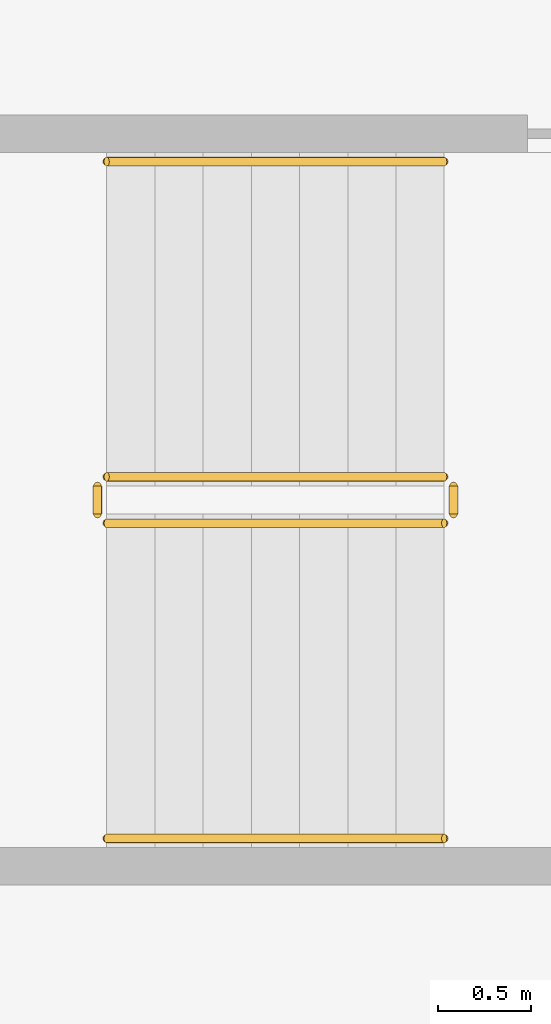
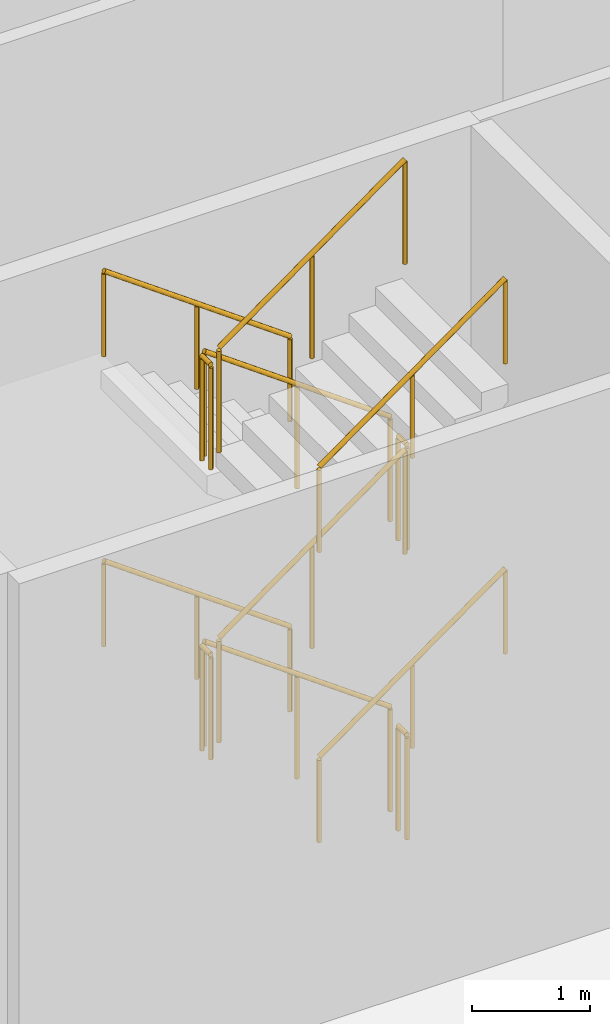
# One storey, part 71 of 75: 12 railings.
"""IFC4 building model written with IfcOpenShell, lengths in metres."""

from ifc_helpers import new_model, si_unit, direction, frame, origin, origin_2d, place, context, subcontext, project, spatial, circle, extrude, material, type_object, element, save


model = new_model("IFC4")

# Units and contexts
model_context = context("Model", 3, precision=1e-05, world=origin(), true_north=direction((0.0, 1.0)))
body_context = subcontext(model_context, "Body", "Model", "MODEL_VIEW")
ifc_project = project(units=[si_unit("LENGTHUNIT", "METRE"), si_unit("AREAUNIT", "SQUARE_METRE"), si_unit("VOLUMEUNIT", "CUBIC_METRE"), si_unit("PLANEANGLEUNIT", "RADIAN"), si_unit("MASSUNIT", "GRAM", prefix="KILO")], contexts=[model_context])

# Site, building, storey
site_placement = place(None, origin())
site = spatial("IfcSite", under=ifc_project, at=site_placement, CompositionType="ELEMENT")
building_placement = place(site_placement, origin())
building = spatial("IfcBuilding", under=site, at=building_placement, Name="Ipe Terrace Towers", CompositionType="ELEMENT")
storey_placement = place(building_placement, origin())
storey = spatial("IfcBuildingStorey", under=building, at=storey_placement, Name="L00", CompositionType="ELEMENT", Elevation=0.0)

# Railings
ifc_material_1 = material(Name="Steel S355", Category="steel")
railing_type_1 = type_object("IfcRailingType", Name="Stair guard 1100", PredefinedType="GUARDRAIL", material=ifc_material_1)
railing_1_placement = place(storey_placement, frame((-0.75, 24.64990234375, 0.1875)))
element("IfcRailing", 1, at=railing_1_placement, inside=storey, type_object=railing_type_1, Name="L00 PS2 stair guard 1", PredefinedType="GUARDRAIL", context=body_context, shape_type="SweptSolid", body=[
    extrude(circle(Radius=0.02392578125, at=origin_2d()), frame((0.0, 0.0, 1.076171875), z_axis=(-0.811100754333, 0.0, 0.584906459462), x_axis=(0.0, -1.0, 0.0)), (0.0, 0.0, 1.0), 2.243896484375),
    extrude(circle(Radius=0.02099609375, at=origin_2d()), origin(), (0.0, 0.0, 1.0), 1.052001953125),
    extrude(circle(Radius=0.02099609375, at=origin_2d()), frame((-0.91015625, 0.0, 0.65625)), (0.0, 0.0, 1.0), 1.052001953125),
    extrude(circle(Radius=0.02099609375, at=origin_2d()), frame((-1.820068359375, 0.0, 1.3125)), (0.0, 0.0, 1.0), 1.052001953125),
])
railing_2_placement = place(storey_placement, frame((-2.6201171875, 24.60009765625, 1.5)))
element("IfcRailing", 2, at=railing_2_placement, inside=storey, type_object=railing_type_1, Name="L00 PS2 stair guard 2", PredefinedType="GUARDRAIL", context=body_context, shape_type="SweptSolid", body=[
    extrude(circle(Radius=0.02392578125, at=origin_2d()), frame((0.0, 0.0, 1.076171875), z_axis=(0.0, -1.0, 0.0), x_axis=(1.0, 0.0, 0.0)), (0.0, 0.0, 1.0), 0.150146484375),
    extrude(circle(Radius=0.02099609375, at=origin_2d()), origin(), (0.0, 0.0, 1.0), 1.052001953125),
    extrude(circle(Radius=0.02099609375, at=origin_2d()), frame((0.0, -0.150146484375, 0.0)), (0.0, 0.0, 1.0), 1.052001953125),
])
railing_3_placement = place(storey_placement, frame((-2.570068359375, 24.39990234375, 1.6875)))
element("IfcRailing", 3, at=railing_3_placement, inside=storey, type_object=railing_type_1, Name="L00 PS2 stair guard 3", PredefinedType="GUARDRAIL", context=body_context, shape_type="SweptSolid", body=[
    extrude(circle(Radius=0.02392578125, at=origin_2d()), frame((0.0, 0.0, 1.076171875), z_axis=(0.811100754333, 0.0, 0.584906459462), x_axis=(0.0, 1.0, 0.0)), (0.0, 0.0, 1.0), 2.243896484375),
    extrude(circle(Radius=0.02099609375, at=origin_2d()), origin(), (0.0, 0.0, 1.0), 1.052001953125),
    extrude(circle(Radius=0.02099609375, at=origin_2d()), frame((0.91015625, 0.0, 0.65625)), (0.0, 0.0, 1.0), 1.052001953125),
    extrude(circle(Radius=0.02099609375, at=origin_2d()), frame((1.820068359375, 0.0, 1.3125)), (0.0, 0.0, 1.0), 1.052001953125),
])
railing_4_placement = place(storey_placement, frame((-0.699951171875, 24.60009765625, 3.0)))
element("IfcRailing", 4, at=railing_4_placement, inside=storey, type_object=railing_type_1, Name="L00 PS2 stair guard 4", PredefinedType="GUARDRAIL", context=body_context, shape_type="SweptSolid", body=[
    extrude(circle(Radius=0.02392578125, at=origin_2d()), frame((0.0, 0.0, 1.076171875), z_axis=(0.0, -1.0, 0.0), x_axis=(1.0, 0.0, 0.0)), (0.0, 0.0, 1.0), 0.150146484375),
    extrude(circle(Radius=0.02099609375, at=origin_2d()), origin(), (0.0, 0.0, 1.0), 1.052001953125),
    extrude(circle(Radius=0.02099609375, at=origin_2d()), frame((0.0, -0.150146484375, 0.0)), (0.0, 0.0, 1.0), 1.052001953125),
])
railing_5_placement = place(storey_placement, frame((-0.75, 24.64990234375, 3.1875)))
element("IfcRailing", 5, at=railing_5_placement, inside=storey, type_object=railing_type_1, Name="L00 PS2 stair guard 5", PredefinedType="GUARDRAIL", context=body_context, shape_type="SweptSolid", body=[
    extrude(circle(Radius=0.02392578125, at=origin_2d()), frame((0.0, 0.0, 1.076171875), z_axis=(-0.811100754333, 0.0, 0.584906459462), x_axis=(0.0, -1.0, 0.0)), (0.0, 0.0, 1.0), 2.243896484375),
    extrude(circle(Radius=0.02099609375, at=origin_2d()), origin(), (0.0, 0.0, 1.0), 1.052001953125),
    extrude(circle(Radius=0.02099609375, at=origin_2d()), frame((-0.91015625, 0.0, 0.65625)), (0.0, 0.0, 1.0), 1.052001953125),
    extrude(circle(Radius=0.02099609375, at=origin_2d()), frame((-1.820068359375, 0.0, 1.3125)), (0.0, 0.0, 1.0), 1.052001953125),
])
railing_6_placement = place(storey_placement, frame((-2.6201171875, 24.60009765625, 4.5)))
element("IfcRailing", 6, at=railing_6_placement, inside=storey, type_object=railing_type_1, Name="L00 PS2 stair guard 6", PredefinedType="GUARDRAIL", context=body_context, shape_type="SweptSolid", body=[
    extrude(circle(Radius=0.02392578125, at=origin_2d()), frame((0.0, 0.0, 1.076171875), z_axis=(0.0, -1.0, 0.0), x_axis=(1.0, 0.0, 0.0)), (0.0, 0.0, 1.0), 0.150146484375),
    extrude(circle(Radius=0.02099609375, at=origin_2d()), origin(), (0.0, 0.0, 1.0), 1.052001953125),
    extrude(circle(Radius=0.02099609375, at=origin_2d()), frame((0.0, -0.150146484375, 0.0)), (0.0, 0.0, 1.0), 1.052001953125),
])
railing_7_placement = place(storey_placement, frame((-2.570068359375, 24.39990234375, 4.6875)))
element("IfcRailing", 7, at=railing_7_placement, inside=storey, type_object=railing_type_1, Name="L00 PS2 stair guard 7", PredefinedType="GUARDRAIL", context=body_context, shape_type="SweptSolid", body=[
    extrude(circle(Radius=0.02392578125, at=origin_2d()), frame((0.0, 0.0, 1.076171875), z_axis=(0.811100754333, 0.0, 0.584906459462), x_axis=(0.0, 1.0, 0.0)), (0.0, 0.0, 1.0), 2.243896484375),
    extrude(circle(Radius=0.02099609375, at=origin_2d()), origin(), (0.0, 0.0, 1.0), 1.052001953125),
    extrude(circle(Radius=0.02099609375, at=origin_2d()), frame((0.91015625, 0.0, 0.65625)), (0.0, 0.0, 1.0), 1.052001953125),
    extrude(circle(Radius=0.02099609375, at=origin_2d()), frame((1.820068359375, 0.0, 1.3125)), (0.0, 0.0, 1.0), 1.052001953125),
])
railing_8_placement = place(storey_placement, frame((-0.699951171875, 24.60009765625, 0.0)))
element("IfcRailing", 8, at=railing_8_placement, inside=storey, type_object=railing_type_1, Name="L00 PS2 stair guard 8", PredefinedType="GUARDRAIL", context=body_context, shape_type="SweptSolid", body=[
    extrude(circle(Radius=0.02392578125, at=origin_2d()), frame((0.0, 0.0, 1.076171875), z_axis=(0.0, -1.0, 0.0), x_axis=(1.0, 0.0, 0.0)), (0.0, 0.0, 1.0), 0.150146484375),
    extrude(circle(Radius=0.02099609375, at=origin_2d()), origin(), (0.0, 0.0, 1.0), 1.052001953125),
    extrude(circle(Radius=0.02099609375, at=origin_2d()), frame((0.0, -0.150146484375, 0.0)), (0.0, 0.0, 1.0), 1.052001953125),
])
ifc_material_2 = material(Name="Stainless steel grade 304", Category="steel")
railing_type_2 = type_object("IfcRailingType", Name="Stair handrail 900", PredefinedType="HANDRAIL", material=ifc_material_2)
railing_9_placement = place(storey_placement, frame((-0.75, 26.35009765625, 0.1875)))
element("IfcRailing", 9, at=railing_9_placement, inside=storey, type_object=railing_type_2, Name="L00 PS2 stair handrail 1", PredefinedType="HANDRAIL", context=body_context, shape_type="SweptSolid", body=[
    extrude(circle(Radius=0.02392578125, at=origin_2d()), frame((0.0, 0.0, 0.8759765625), z_axis=(-0.811100754333, 0.0, 0.584906459462), x_axis=(0.0, -1.0, 0.0)), (0.0, 0.0, 1.0), 2.243896484375),
    extrude(circle(Radius=0.02099609375, at=origin_2d()), origin(), (0.0, 0.0, 1.0), 0.851806640625),
    extrude(circle(Radius=0.02099609375, at=origin_2d()), frame((-0.91015625, 0.0, 0.65625)), (0.0, 0.0, 1.0), 0.851806640625),
    extrude(circle(Radius=0.02099609375, at=origin_2d()), frame((-1.820068359375, 0.0, 1.3125)), (0.0, 0.0, 1.0), 0.851806640625),
])
railing_10_placement = place(storey_placement, frame((-2.570068359375, 22.699951171875, 1.6875)))
element("IfcRailing", 10, at=railing_10_placement, inside=storey, type_object=railing_type_2, Name="L00 PS2 stair handrail 2", PredefinedType="HANDRAIL", context=body_context, shape_type="SweptSolid", body=[
    extrude(circle(Radius=0.02392578125, at=origin_2d()), frame((0.0, 0.0, 0.8759765625), z_axis=(0.811100754333, 0.0, 0.584906459462), x_axis=(0.0, 1.0, 0.0)), (0.0, 0.0, 1.0), 2.243896484375),
    extrude(circle(Radius=0.02099609375, at=origin_2d()), origin(), (0.0, 0.0, 1.0), 0.851806640625),
    extrude(circle(Radius=0.02099609375, at=origin_2d()), frame((0.91015625, 0.0, 0.65625)), (0.0, 0.0, 1.0), 0.851806640625),
    extrude(circle(Radius=0.02099609375, at=origin_2d()), frame((1.820068359375, 0.0, 1.3125)), (0.0, 0.0, 1.0), 0.851806640625),
])
railing_11_placement = place(storey_placement, frame((-0.75, 26.35009765625, 3.1875)))
element("IfcRailing", 11, at=railing_11_placement, inside=storey, type_object=railing_type_2, Name="L00 PS2 stair handrail 3", PredefinedType="HANDRAIL", context=body_context, shape_type="SweptSolid", body=[
    extrude(circle(Radius=0.02392578125, at=origin_2d()), frame((0.0, 0.0, 0.8759765625), z_axis=(-0.811100754333, 0.0, 0.584906459462), x_axis=(0.0, -1.0, 0.0)), (0.0, 0.0, 1.0), 2.243896484375),
    extrude(circle(Radius=0.02099609375, at=origin_2d()), origin(), (0.0, 0.0, 1.0), 0.851806640625),
    extrude(circle(Radius=0.02099609375, at=origin_2d()), frame((-0.91015625, 0.0, 0.65625)), (0.0, 0.0, 1.0), 0.851806640625),
    extrude(circle(Radius=0.02099609375, at=origin_2d()), frame((-1.820068359375, 0.0, 1.3125)), (0.0, 0.0, 1.0), 0.851806640625),
])
railing_12_placement = place(storey_placement, frame((-2.570068359375, 22.699951171875, 4.6875)))
element("IfcRailing", 12, at=railing_12_placement, inside=storey, type_object=railing_type_2, Name="L00 PS2 stair handrail 4", PredefinedType="HANDRAIL", context=body_context, shape_type="SweptSolid", body=[
    extrude(circle(Radius=0.02392578125, at=origin_2d()), frame((0.0, 0.0, 0.8759765625), z_axis=(0.811100754333, 0.0, 0.584906459462), x_axis=(0.0, 1.0, 0.0)), (0.0, 0.0, 1.0), 2.243896484375),
    extrude(circle(Radius=0.02099609375, at=origin_2d()), origin(), (0.0, 0.0, 1.0), 0.851806640625),
    extrude(circle(Radius=0.02099609375, at=origin_2d()), frame((0.91015625, 0.0, 0.65625)), (0.0, 0.0, 1.0), 0.851806640625),
    extrude(circle(Radius=0.02099609375, at=origin_2d()), frame((1.820068359375, 0.0, 1.3125)), (0.0, 0.0, 1.0), 0.851806640625),
])

save(model, "model.ifc")
